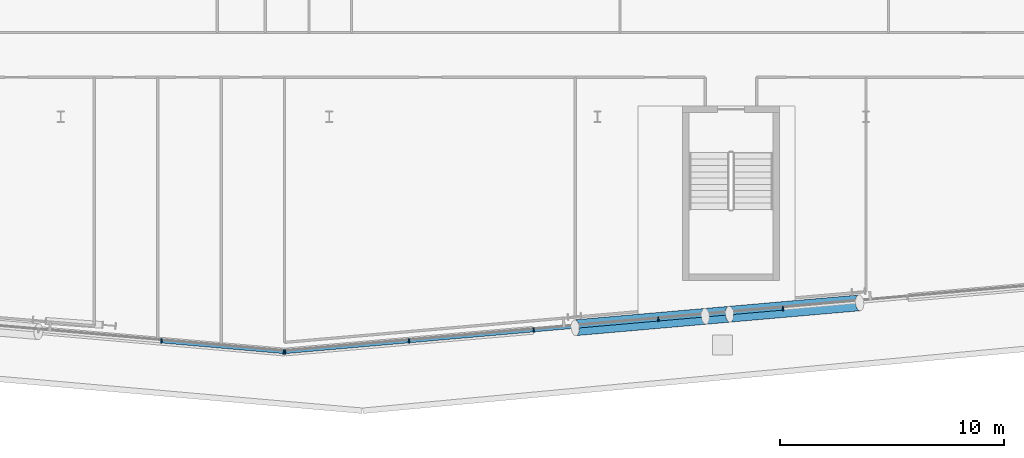
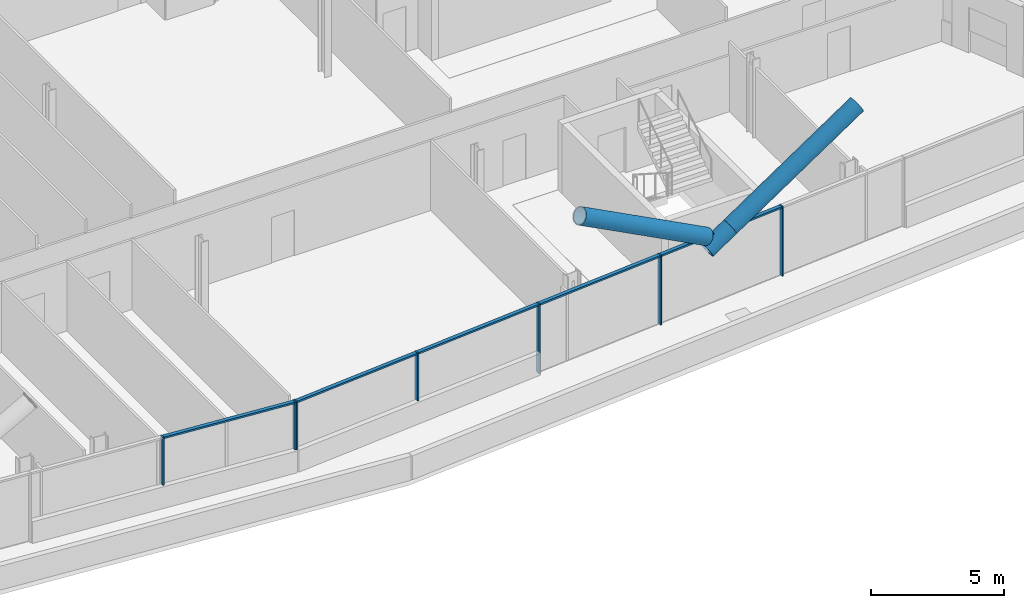
# One storey, part 8 of 30: 15 members, 2 elements without a shape of their own.
"""IFC4 building model written with IfcOpenShell, lengths in metres."""

from ifc_helpers import new_model, si_unit, direction, frame, origin, origin_2d, place, context, subcontext, project, spatial, rectangle, hollow_circle, extrude, material, material_profile, profile_set, type_object, element, aggregate, save


model = new_model("IFC4")

# Units and contexts
model_context = context("Model", 3, precision=1e-05, world=origin(), true_north=direction((0.0, 1.0)))
body_context = subcontext(model_context, "Body", "Model", "MODEL_VIEW")
ifc_project = project(units=[si_unit("LENGTHUNIT", "METRE"), si_unit("AREAUNIT", "SQUARE_METRE"), si_unit("VOLUMEUNIT", "CUBIC_METRE"), si_unit("PLANEANGLEUNIT", "RADIAN"), si_unit("MASSUNIT", "GRAM", prefix="KILO")], contexts=[model_context])

# Site, building, storey
site_placement = place(None, origin())
site = spatial("IfcSite", under=ifc_project, at=site_placement, CompositionType="ELEMENT")
building_placement = place(site_placement, origin())
building = spatial("IfcBuilding", under=site, at=building_placement, Name="Wharfspan Tower", CompositionType="ELEMENT")
storey_placement = place(building_placement, frame((0.0, 0.0, 151.899902)))
storey = spatial("IfcBuildingStorey", under=building, at=storey_placement, Name="L36", CompositionType="ELEMENT", Elevation=151.899902)

# Member
ifc_material_1 = material(Name="Steel S460NH", Category="steel")
ifc_material_profile_1 = material_profile(ifc_material_1, hollow_circle(Radius=0.355469, WallThickness=0.035889, at=origin_2d()))
ifc_profile_set_1 = profile_set([ifc_material_profile_1], Name="Steel S460NH")
member_type_1 = type_object("IfcMemberType", Name="Brace node tie CHS 711x36", PredefinedType="STRUT", material=ifc_profile_set_1)
member_1_placement = place(storey_placement, frame((64.821533, 2.579346, 2.597412), z_axis=(0.867426, 0.075972, 0.491733), x_axis=(-0.087248, 0.996185, -2e-06)))
element("IfcMember", 1, at=member_1_placement, inside=storey, type_object=member_type_1, Name="Brace node tie L36 S2", PredefinedType="STRUT", context=body_context, shape_type="SweptSolid", body=[
    extrude(hollow_circle(Radius=0.355469, WallThickness=0.035889, at=origin_2d()), origin(), (0.0, 0.0, 1.0), 1.230713),
])

# Curtain wall, members
ifc_material_2 = material(Name="Aluminium 6063-T6", Category="aluminium")
curtain_wall_type = type_object("IfcCurtainWallType", Name="CURTAIN WALL FACETED FRONT", PredefinedType="NOTDEFINED", material=ifc_material_2)
curtain_wall_1_placement = place(storey_placement, origin())
curtain_wall_1 = element("IfcCurtainWall", 2, at=curtain_wall_1_placement, inside=storey, type_object=curtain_wall_type, Name="Curtain wall S1", PredefinedType="NOTDEFINED")
ifc_material_profile_2 = material_profile(ifc_material_2, rectangle(XDim=0.199951, YDim=0.060059, at=origin_2d()))
ifc_profile_set_2 = profile_set([ifc_material_profile_2], Name="Aluminium 6063-T6")
member_type_2 = type_object("IfcMemberType", Name="MULLION FACETED FRONT 60x200", PredefinedType="MULLION", material=ifc_profile_set_2)
member_2_placement = place(storey_placement, frame((40.5, 1.469238, 1.0), z_axis=(0.0, 0.0, 1.0), x_axis=(0.087156, 0.996198, 0.0)))
member_2 = element("IfcMember", 3, at=member_2_placement, type_object=member_type_2, Name="Curtain wall S1 mullion 6", PredefinedType="MULLION", context=body_context, shape_type="SweptSolid", body=[
    extrude(rectangle(XDim=0.199951, YDim=0.060059, at=origin_2d()), origin(), (0.0, 0.0, 1.0), 2.200195),
])
member_3_placement = place(storey_placement, frame((45.970215, 0.990479, 1.0), z_axis=(0.0, 0.0, 1.0), x_axis=(0.087156, 0.996198, 0.0)))
member_3 = element("IfcMember", 4, at=member_3_placement, type_object=member_type_2, Name="Curtain wall S1 mullion 7", PredefinedType="MULLION", context=body_context, shape_type="SweptSolid", body=[
    extrude(rectangle(XDim=0.199951, YDim=0.060059, at=origin_2d()), origin(), (0.0, 0.0, 1.0), 2.200195),
])

curtain_wall_2_placement = place(storey_placement, origin())
curtain_wall_2 = element("IfcCurtainWall", 5, at=curtain_wall_2_placement, inside=storey, type_object=curtain_wall_type, Name="Curtain wall S2", PredefinedType="NOTDEFINED")
member_4_placement = place(storey_placement, frame((46.029785, 0.990479, 1.0), z_axis=(0.0, 0.0, 1.0), x_axis=(-0.087156, 0.996198, 0.0)))
member_4 = element("IfcMember", 6, at=member_4_placement, type_object=member_type_2, Name="Curtain wall S2 mullion 1", PredefinedType="MULLION", context=body_context, shape_type="SweptSolid", body=[
    extrude(rectangle(XDim=0.199951, YDim=0.060059, at=origin_2d()), origin(), (0.0, 0.0, 1.0), 2.200195),
])
member_5_placement = place(storey_placement, frame((51.571533, 1.475342, 1.0), z_axis=(0.0, 0.0, 1.0), x_axis=(-0.087156, 0.996198, 0.0)))
member_5 = element("IfcMember", 7, at=member_5_placement, type_object=member_type_2, Name="Curtain wall S2 mullion 2", PredefinedType="MULLION", context=body_context, shape_type="SweptSolid", body=[
    extrude(rectangle(XDim=0.199951, YDim=0.060059, at=origin_2d()), origin(), (0.0, 0.0, 1.0), 2.200195),
])
member_6_placement = place(storey_placement, frame((57.142822, 1.962891, 0.0), z_axis=(0.0, 0.0, 1.0), x_axis=(-0.087156, 0.996198, 0.0)))
member_6 = element("IfcMember", 8, at=member_6_placement, type_object=member_type_2, Name="Curtain wall S2 mullion 3", PredefinedType="MULLION", context=body_context, shape_type="SweptSolid", body=[
    extrude(rectangle(XDim=0.199951, YDim=0.060059, at=origin_2d()), origin(), (0.0, 0.0, 1.0), 3.200195),
])
member_7_placement = place(storey_placement, frame((62.714355, 2.450195, 0.0), z_axis=(0.0, 0.0, 1.0), x_axis=(-0.087156, 0.996198, 0.0)))
member_7 = element("IfcMember", 9, at=member_7_placement, type_object=member_type_2, Name="Curtain wall S2 mullion 4", PredefinedType="MULLION", context=body_context, shape_type="SweptSolid", body=[
    extrude(rectangle(XDim=0.199951, YDim=0.060059, at=origin_2d()), origin(), (0.0, 0.0, 1.0), 3.200195),
])
member_8_placement = place(storey_placement, frame((68.285645, 2.937744, 0.0), z_axis=(0.0, 0.0, 1.0), x_axis=(-0.087156, 0.996198, 0.0)))
member_8 = element("IfcMember", 10, at=member_8_placement, type_object=member_type_2, Name="Curtain wall S2 mullion 5", PredefinedType="MULLION", context=body_context, shape_type="SweptSolid", body=[
    extrude(rectangle(XDim=0.199951, YDim=0.060059, at=origin_2d()), origin(), (0.0, 0.0, 1.0), 3.200195),
])

# Members
ifc_material_profile_3 = material_profile(ifc_material_1, hollow_circle(Radius=0.355469, WallThickness=0.035889, at=origin_2d()))
ifc_profile_set_3 = profile_set([ifc_material_profile_3], Name="Steel S460NH")
member_type_3 = type_object("IfcMemberType", Name="Mega brace CHS 711x36", PredefinedType="BRACE", material=ifc_profile_set_3)
member_9_placement = place(storey_placement, frame((65.897949, 2.673584, 3.207764), z_axis=(0.867451, 0.075879, 0.491702), x_axis=(-0.087142, 0.996197, 2e-06)))
element("IfcMember", 11, at=member_9_placement, inside=storey, type_object=member_type_3, Name="Mega brace S2 L36 part 2", PredefinedType="BRACE", context=body_context, shape_type="SweptSolid", body=[
    extrude(hollow_circle(Radius=0.355469, WallThickness=0.035889, at=origin_2d()), origin(), (0.0, 0.0, 1.0), 6.695557),
])
member_10_placement = place(storey_placement, frame((64.812744, 2.578613, 3.207764), z_axis=(-0.867442, -0.075882, 0.491717), x_axis=(0.087146, -0.996193, 2e-06)))
element("IfcMember", 12, at=member_10_placement, inside=storey, type_object=member_type_3, Name="Mega brace S2 L36 part 4", PredefinedType="BRACE", context=body_context, shape_type="SweptSolid", body=[
    extrude(hollow_circle(Radius=0.355469, WallThickness=0.035889, at=origin_2d()), origin(), (0.0, 0.0, 1.0), 6.695312),
])

# Member
ifc_material_profile_4 = material_profile(ifc_material_2, rectangle(XDim=0.159912, YDim=0.080078, at=origin_2d()))
ifc_profile_set_4 = profile_set([ifc_material_profile_4], Name="Aluminium 6063-T6")
member_type_4 = type_object("IfcMemberType", Name="TRANSOM FACETED FRONT 80x160", PredefinedType="USERDEFINED", material=ifc_profile_set_4)
member_11_placement = place(storey_placement, frame((40.529785, 1.466553, 3.160156), z_axis=(0.996194, -0.087163, 0.0), x_axis=(0.087163, 0.996194, 0.0)))
member_11 = element("IfcMember", 13, at=member_11_placement, type_object=member_type_4, Name="Curtain wall S1 transom 6", ObjectType="TRANSOM", PredefinedType="USERDEFINED", context=body_context, shape_type="SweptSolid", body=[
    extrude(rectangle(XDim=0.159912, YDim=0.080078, at=origin_2d()), origin(), (0.0, 0.0, 1.0), 5.431152),
])

aggregate(curtain_wall_1, [member_2, member_3, member_11])

member_12_placement = place(storey_placement, frame((46.059814, 0.993164, 3.160156), z_axis=(0.996196, 0.087139, 0.0), x_axis=(-0.087139, 0.996196, 0.0)))
member_12 = element("IfcMember", 14, at=member_12_placement, type_object=member_type_4, Name="Curtain wall S2 transom 1", ObjectType="TRANSOM", PredefinedType="USERDEFINED", context=body_context, shape_type="SweptSolid", body=[
    extrude(rectangle(XDim=0.159912, YDim=0.080078, at=origin_2d()), origin(), (0.0, 0.0, 1.0), 5.502686),
])

member_13_placement = place(storey_placement, frame((51.601318, 1.478027, 3.160156), z_axis=(0.996195, 0.087149, 0.0), x_axis=(-0.087149, 0.996195, 0.0)))
member_13 = element("IfcMember", 15, at=member_13_placement, type_object=member_type_4, Name="Curtain wall S2 transom 2", ObjectType="TRANSOM", PredefinedType="USERDEFINED", context=body_context, shape_type="SweptSolid", body=[
    extrude(rectangle(XDim=0.159912, YDim=0.080078, at=origin_2d()), origin(), (0.0, 0.0, 1.0), 5.532715),
])

member_14_placement = place(storey_placement, frame((57.172852, 1.965332, 3.160156), z_axis=(0.996191, 0.087197, 0.0), x_axis=(-0.087197, 0.996191, 0.0)))
member_14 = element("IfcMember", 16, at=member_14_placement, type_object=member_type_4, Name="Curtain wall S2 transom 3", ObjectType="TRANSOM", PredefinedType="USERDEFINED", context=body_context, shape_type="SweptSolid", body=[
    extrude(rectangle(XDim=0.159912, YDim=0.080078, at=origin_2d()), origin(), (0.0, 0.0, 1.0), 5.532471),
])

member_15_placement = place(storey_placement, frame((62.744141, 2.452881, 3.160156), z_axis=(0.996195, 0.087149, 0.0), x_axis=(-0.087149, 0.996195, 0.0)))
member_15 = element("IfcMember", 17, at=member_15_placement, type_object=member_type_4, Name="Curtain wall S2 transom 4", ObjectType="TRANSOM", PredefinedType="USERDEFINED", context=body_context, shape_type="SweptSolid", body=[
    extrude(rectangle(XDim=0.159912, YDim=0.080078, at=origin_2d()), origin(), (0.0, 0.0, 1.0), 5.532715),
])

aggregate(curtain_wall_2, [member_4, member_5, member_6, member_7, member_8, member_12, member_13, member_14, member_15])

save(model, "model.ifc")
